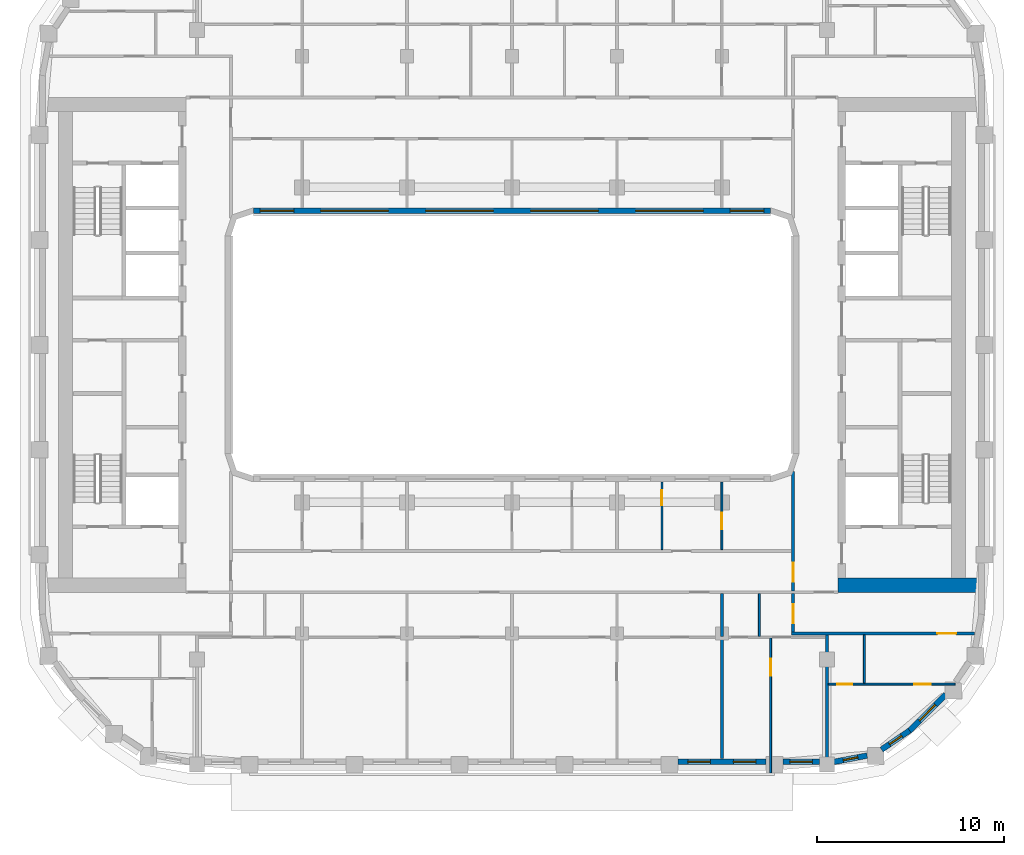
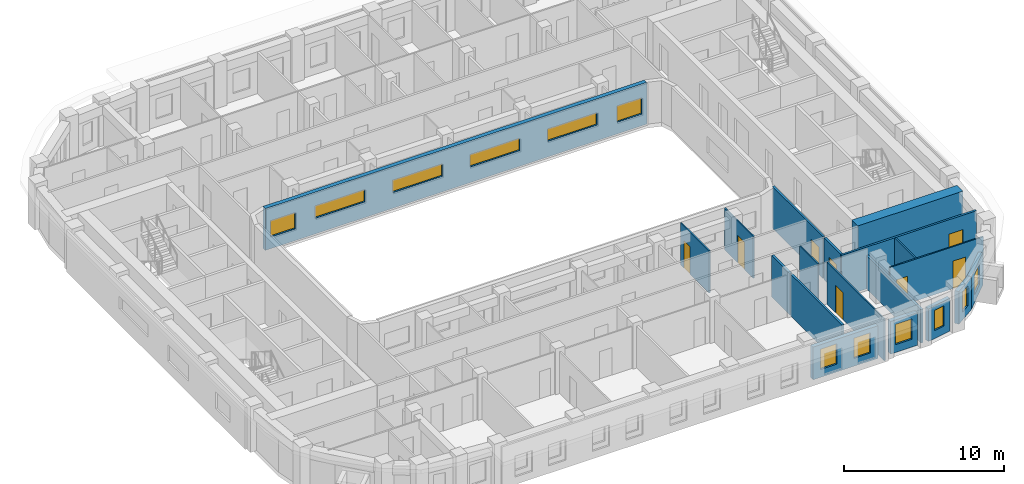
# One storey, part 5 of 21: 19 walls, 12 windows, 8 doors, 20 openings.
"""IFC4 building model written with IfcOpenShell, lengths in metres."""

from ifc_helpers import new_model, si_unit, direction, frame, frame_2d, origin, place, context, subcontext, project, spatial, rectangle, extrude, material, layer, layer_set, type_object, element, fill, save


model = new_model("IFC4")

# Units and contexts
model_context = context("Model", 3, precision=1e-05, world=origin(), true_north=direction((0.0, 1.0)))
body_context = subcontext(model_context, "Body", "Model", "MODEL_VIEW")
ifc_project = project(units=[si_unit("LENGTHUNIT", "METRE"), si_unit("AREAUNIT", "SQUARE_METRE"), si_unit("VOLUMEUNIT", "CUBIC_METRE"), si_unit("PLANEANGLEUNIT", "RADIAN"), si_unit("MASSUNIT", "GRAM", prefix="KILO")], contexts=[model_context])

# Site, building, storey
site_placement = place(None, origin())
site = spatial("IfcSite", under=ifc_project, at=site_placement, CompositionType="ELEMENT")
building_placement = place(site_placement, origin())
building = spatial("IfcBuilding", under=site, at=building_placement, Name="Kiln Ring Residences", CompositionType="ELEMENT")
storey_placement = place(building_placement, frame((0.0, 0.0, 195.89990234375)))
storey = spatial("IfcBuildingStorey", under=building, at=storey_placement, Name="L50", CompositionType="ELEMENT", Elevation=195.89990234375)

# Wall
ifc_material_1 = material(Name="Concrete C60/75", Category="concrete")
ifc_layer_1 = layer(ifc_material_1, 0.75)
ifc_layer_set_1 = layer_set([ifc_layer_1], Name="CORE-WALL-RC750")
wall_type_1 = type_object("IfcWallType", Name="CORE-WALL-RC750", PredefinedType="SHEAR", material=ifc_layer_set_1)
wall_1_placement = place(storey_placement, frame((17.39990234375, -12.824951171875, 0.0), z_axis=(0.0, 0.0, 1.0), x_axis=(1.0, 0.0, 0.0)))
element("IfcWall", 1, at=wall_1_placement, inside=storey, type_object=wall_type_1, Name="Core wall east L50 5", PredefinedType="SHEAR", context=body_context, shape_type="SweptSolid", body=[
    extrude(rectangle(XDim=7.60009765625, YDim=0.75, at=frame_2d((3.800048828125, 0.0))), origin(), (0.0, 0.0, 1.0), 3.2001953125),
])

# Wall, openings, windows
ifc_material_2 = material(Name="Brick masonry, dark clay brick", Category="masonry")
ifc_layer_2 = layer(ifc_material_2, 0.300048828125)
ifc_layer_set_2 = layer_set([ifc_layer_2], Name="EW-300 BRICK WALL")
wall_type_2 = type_object("IfcWallType", Name="EW-300 BRICK WALL", PredefinedType="SOLIDWALL", material=ifc_layer_set_2)
wall_2_placement = place(storey_placement, frame((8.85009765625, -22.25, 0.0), z_axis=(0.0, 0.0, 1.0), x_axis=(1.0, 0.0, 0.0)))
wall_2 = element("IfcWall", 2, at=wall_2_placement, inside=storey, type_object=wall_type_2, Name="Facade wall L50 9", PredefinedType="SOLIDWALL", context=body_context, shape_type="SweptSolid", body=[
    extrude(rectangle(XDim=4.699951171875, YDim=0.300048828125, at=frame_2d((2.35009765625, 0.0))), origin(), (0.0, 0.0, 1.0), 2.5),
])
opening_1_placement = place(wall_2_placement, frame((0.53759765625, 0.0, 0.60009765625)))
opening_1 = element("IfcOpeningElement", 3, at=opening_1_placement, cuts=wall_2, Name="Opening W1", PredefinedType="OPENING", context=body_context, shape_type="SweptSolid", body=[
    extrude(rectangle(XDim=1.199951171875, YDim=1.550048828125, at=frame_2d((0.60009765625, 0.77490234375))), frame((0.0, 0.159912109375, 0.0), z_axis=(0.0, -1.0, 0.0), x_axis=(1.0, 0.0, 0.0)), (0.0, 0.0, 1.0), 0.320068359375),
])
opening_2_placement = place(wall_2_placement, frame((2.96240234375, 0.0, 0.60009765625)))
opening_2 = element("IfcOpeningElement", 4, at=opening_2_placement, cuts=wall_2, Name="Opening W1", PredefinedType="OPENING", context=body_context, shape_type="SweptSolid", body=[
    extrude(rectangle(XDim=1.199951171875, YDim=1.550048828125, at=frame_2d((0.60009765625, 0.77490234375))), frame((0.0, 0.159912109375, 0.0), z_axis=(0.0, -1.0, 0.0), x_axis=(1.0, 0.0, 0.0)), (0.0, 0.0, 1.0), 0.320068359375),
])
ifc_material_3 = material(Name="Aluminium frame with double glazing", Category="aluminium")
window_type_1 = type_object("IfcWindowType", Name="WINDOW 1200 x 1550", PartitioningType="SINGLE_PANEL", PredefinedType="WINDOW", material=ifc_material_3)
window_1_placement = place(opening_1_placement, origin())
window_1 = element("IfcWindow", 5, at=window_1_placement, inside=storey, type_object=window_type_1, Name="Window L50 12", OverallHeight=1.550048828125, OverallWidth=1.199951171875, PartitioningType="SINGLE_PANEL", PredefinedType="WINDOW", context=body_context, shape_type="SweptSolid", body=[
    extrude(rectangle(XDim=1.199951171875, YDim=1.550048828125, at=frame_2d((0.60009765625, 0.77490234375))), frame((0.0, 0.030029296875, 0.0), z_axis=(0.0, -1.0, 0.0), x_axis=(1.0, 0.0, 0.0)), (0.0, 0.0, 1.0), 0.06005859375),
])
fill(opening_1, window_1)
window_2_placement = place(opening_2_placement, origin())
window_2 = element("IfcWindow", 6, at=window_2_placement, inside=storey, type_object=window_type_1, Name="Window L50 13", OverallHeight=1.550048828125, OverallWidth=1.199951171875, PartitioningType="SINGLE_PANEL", PredefinedType="WINDOW", context=body_context, shape_type="SweptSolid", body=[
    extrude(rectangle(XDim=1.199951171875, YDim=1.550048828125, at=frame_2d((0.60009765625, 0.77490234375))), frame((0.0, 0.030029296875, 0.0), z_axis=(0.0, -1.0, 0.0), x_axis=(1.0, 0.0, 0.0)), (0.0, 0.0, 1.0), 0.06005859375),
])
fill(opening_2, window_2)

# Wall, opening, window
wall_3_placement = place(storey_placement, frame((14.449951171875, -22.25, 0.0), z_axis=(0.0, 0.0, 1.0), x_axis=(1.0, 0.0, 0.0)))
wall_3 = element("IfcWall", 7, at=wall_3_placement, inside=storey, type_object=wall_type_2, Name="Facade wall L50 10", PredefinedType="SOLIDWALL", context=body_context, shape_type="SweptSolid", body=[
    extrude(rectangle(XDim=1.949951171875, YDim=0.300048828125, at=frame_2d((0.97509765625, 0.0))), origin(), (0.0, 0.0, 1.0), 2.5),
])
opening_3_placement = place(wall_3_placement, frame((0.375, 0.0, 0.60009765625)))
opening_3 = element("IfcOpeningElement", 8, at=opening_3_placement, cuts=wall_3, Name="Opening W1", PredefinedType="OPENING", context=body_context, shape_type="SweptSolid", body=[
    extrude(rectangle(XDim=1.199951171875, YDim=1.550048828125, at=frame_2d((0.60009765625, 0.77490234375))), frame((0.0, 0.159912109375, 0.0), z_axis=(0.0, -1.0, 0.0), x_axis=(1.0, 0.0, 0.0)), (0.0, 0.0, 1.0), 0.320068359375),
])
window_3_placement = place(opening_3_placement, origin())
window_3 = element("IfcWindow", 9, at=window_3_placement, inside=storey, type_object=window_type_1, Name="Window L50 14", OverallHeight=1.550048828125, OverallWidth=1.199951171875, PartitioningType="SINGLE_PANEL", PredefinedType="WINDOW", context=body_context, shape_type="SweptSolid", body=[
    extrude(rectangle(XDim=1.199951171875, YDim=1.550048828125, at=frame_2d((0.60009765625, 0.77490234375))), frame((0.0, 0.030029296875, 0.0), z_axis=(0.0, -1.0, 0.0), x_axis=(1.0, 0.0, 0.0)), (0.0, 0.0, 1.0), 0.06005859375),
])
fill(opening_3, window_3)

wall_4_placement = place(storey_placement, frame((17.178955078125, -22.251220703125, 0.0), z_axis=(0.0, 0.0, 1.0), x_axis=(0.98230529033, 0.187286722942, 0.0)))
wall_4 = element("IfcWall", 10, at=wall_4_placement, inside=storey, type_object=wall_type_2, Name="Facade wall L50 11", PredefinedType="SOLIDWALL", context=body_context, shape_type="SweptSolid", body=[
    extrude(rectangle(XDim=1.798828125, YDim=0.300048828125, at=frame_2d((0.8994140625, 0.0))), origin(), (0.0, 0.0, 1.0), 2.5),
])
opening_4_placement = place(wall_4_placement, frame((0.49951171875, 0.0, 0.60009765625)))
opening_4 = element("IfcOpeningElement", 11, at=opening_4_placement, cuts=wall_4, Name="Opening W5", PredefinedType="OPENING", context=body_context, shape_type="SweptSolid", body=[
    extrude(rectangle(XDim=0.800048828125, YDim=1.550048828125, at=frame_2d((0.39990234375, 0.77490234375))), frame((0.0, 0.159912109375, 0.0), z_axis=(0.0, -1.0, 0.0), x_axis=(1.0, 0.0, 0.0)), (0.0, 0.0, 1.0), 0.320068359375),
])
ifc_material_4 = material(Name="Aluminium frame with double glazing", Category="aluminium")
window_type_2 = type_object("IfcWindowType", Name="WINDOW 800 x 1550", PartitioningType="SINGLE_PANEL", PredefinedType="WINDOW", material=ifc_material_4)
window_4_placement = place(opening_4_placement, origin())
window_4 = element("IfcWindow", 12, at=window_4_placement, inside=storey, type_object=window_type_2, Name="Window L50 15", OverallHeight=1.550048828125, OverallWidth=0.800048828125, PartitioningType="SINGLE_PANEL", PredefinedType="WINDOW", context=body_context, shape_type="SweptSolid", body=[
    extrude(rectangle(XDim=0.800048828125, YDim=1.550048828125, at=frame_2d((0.39990234375, 0.77490234375))), frame((0.0, 0.030029296875, 0.0), z_axis=(0.0, -1.0, 0.0), x_axis=(1.0, 0.0, 0.0)), (0.0, 0.0, 1.0), 0.06005859375),
])
fill(opening_4, window_4)

wall_5_placement = place(storey_placement, frame((19.718994140625, -21.593994140625, 0.0), z_axis=(0.0, 0.0, 1.0), x_axis=(0.827067282455, 0.562102935673, 0.0)))
wall_5 = element("IfcWall", 13, at=wall_5_placement, inside=storey, type_object=wall_type_2, Name="Facade wall L50 12", PredefinedType="SOLIDWALL", context=body_context, shape_type="SweptSolid", body=[
    extrude(rectangle(XDim=1.805908203125, YDim=0.300048828125, at=frame_2d((0.90283203125, 0.0))), origin(), (0.0, 0.0, 1.0), 2.5),
])
opening_5_placement = place(wall_5_placement, frame((0.5029296875, 0.0, 0.60009765625)))
opening_5 = element("IfcOpeningElement", 14, at=opening_5_placement, cuts=wall_5, Name="Opening W5", PredefinedType="OPENING", context=body_context, shape_type="SweptSolid", body=[
    extrude(rectangle(XDim=0.800048828125, YDim=1.550048828125, at=frame_2d((0.39990234375, 0.77490234375))), frame((0.0, 0.159912109375, 0.0), z_axis=(0.0, -1.0, 0.0), x_axis=(1.0, 0.0, 0.0)), (0.0, 0.0, 1.0), 0.320068359375),
])
window_5_placement = place(opening_5_placement, origin())
window_5 = element("IfcWindow", 15, at=window_5_placement, inside=storey, type_object=window_type_2, Name="Window L50 16", OverallHeight=1.550048828125, OverallWidth=0.800048828125, PartitioningType="SINGLE_PANEL", PredefinedType="WINDOW", context=body_context, shape_type="SweptSolid", body=[
    extrude(rectangle(XDim=0.800048828125, YDim=1.550048828125, at=frame_2d((0.39990234375, 0.77490234375))), frame((0.0, 0.030029296875, 0.0), z_axis=(0.0, -1.0, 0.0), x_axis=(1.0, 0.0, 0.0)), (0.0, 0.0, 1.0), 0.06005859375),
])
fill(opening_5, window_5)

wall_6_placement = place(storey_placement, frame((21.19091796875, -20.596923828125, 0.0), z_axis=(0.0, 0.0, 1.0), x_axis=(0.707106781187, 0.707106781187, 0.0)))
wall_6 = element("IfcWall", 16, at=wall_6_placement, inside=storey, type_object=wall_type_2, Name="Facade wall L50 13", PredefinedType="SOLIDWALL", context=body_context, shape_type="SweptSolid", body=[
    extrude(rectangle(XDim=2.75, YDim=0.300048828125, at=frame_2d((1.375, 0.0))), origin(), (0.0, 0.0, 1.0), 2.5),
])
opening_6_placement = place(wall_6_placement, frame((0.77490234375, 0.0, 0.60009765625)))
opening_6 = element("IfcOpeningElement", 17, at=opening_6_placement, cuts=wall_6, Name="Opening W1", PredefinedType="OPENING", context=body_context, shape_type="SweptSolid", body=[
    extrude(rectangle(XDim=1.199951171875, YDim=1.550048828125, at=frame_2d((0.60009765625, 0.77490234375))), frame((0.0, 0.159912109375, 0.0), z_axis=(0.0, -1.0, 0.0), x_axis=(1.0, 0.0, 0.0)), (0.0, 0.0, 1.0), 0.320068359375),
])
window_6_placement = place(opening_6_placement, origin())
window_6 = element("IfcWindow", 18, at=window_6_placement, inside=storey, type_object=window_type_1, Name="Window L50 17", OverallHeight=1.550048828125, OverallWidth=1.199951171875, PartitioningType="SINGLE_PANEL", PredefinedType="WINDOW", context=body_context, shape_type="SweptSolid", body=[
    extrude(rectangle(XDim=1.199951171875, YDim=1.550048828125, at=frame_2d((0.60009765625, 0.77490234375))), frame((0.0, 0.030029296875, 0.0), z_axis=(0.0, -1.0, 0.0), x_axis=(1.0, 0.0, 0.0)), (0.0, 0.0, 1.0), 0.06005859375),
])
fill(opening_6, window_6)

# Wall, openings, windows
wall_7_placement = place(storey_placement, frame((-13.800048828125, 7.14990234375, 0.0), z_axis=(0.0, 0.0, 1.0), x_axis=(1.0, 0.0, 0.0)))
wall_7 = element("IfcWall", 19, at=wall_7_placement, inside=storey, type_object=wall_type_2, Name="Facade wall L50 48", PredefinedType="SOLIDWALL", context=body_context, shape_type="SweptSolid", body=[
    extrude(rectangle(XDim=27.60009765625, YDim=0.300048828125, at=frame_2d((13.800048828125, 0.0))), origin(), (0.0, 0.0, 1.0), 3.2001953125),
])
opening_7_placement = place(wall_7_placement, frame((0.362548828125, 0.0, 0.89990234375)))
opening_7 = element("IfcOpeningElement", 20, at=opening_7_placement, cuts=wall_7, Name="Opening W2", PredefinedType="OPENING", context=body_context, shape_type="SweptSolid", body=[
    extrude(rectangle(XDim=1.800048828125, YDim=1.25, at=frame_2d((0.89990234375, 0.625))), frame((0.0, 0.159912109375, 0.0), z_axis=(0.0, -1.0, 0.0), x_axis=(1.0, 0.0, 0.0)), (0.0, 0.0, 1.0), 0.320068359375),
])
opening_8_placement = place(wall_7_placement, frame((3.60009765625, 0.0, 1.199951171875)))
opening_8 = element("IfcOpeningElement", 21, at=opening_8_placement, cuts=wall_7, Name="Opening W4", PredefinedType="OPENING", context=body_context, shape_type="SweptSolid", body=[
    extrude(rectangle(XDim=3.60009765625, YDim=0.949951171875, at=frame_2d((1.800048828125, 0.47509765625))), frame((0.0, 0.159912109375, 0.0), z_axis=(0.0, -1.0, 0.0), x_axis=(1.0, 0.0, 0.0)), (0.0, 0.0, 1.0), 0.320068359375),
])
opening_9_placement = place(wall_7_placement, frame((9.199951171875, 0.0, 1.199951171875)))
opening_9 = element("IfcOpeningElement", 22, at=opening_9_placement, cuts=wall_7, Name="Opening W4", PredefinedType="OPENING", context=body_context, shape_type="SweptSolid", body=[
    extrude(rectangle(XDim=3.60009765625, YDim=0.949951171875, at=frame_2d((1.800048828125, 0.47509765625))), frame((0.0, 0.159912109375, 0.0), z_axis=(0.0, -1.0, 0.0), x_axis=(1.0, 0.0, 0.0)), (0.0, 0.0, 1.0), 0.320068359375),
])
opening_10_placement = place(wall_7_placement, frame((14.800048828125, 0.0, 1.199951171875)))
opening_10 = element("IfcOpeningElement", 23, at=opening_10_placement, cuts=wall_7, Name="Opening W4", PredefinedType="OPENING", context=body_context, shape_type="SweptSolid", body=[
    extrude(rectangle(XDim=3.60009765625, YDim=0.949951171875, at=frame_2d((1.800048828125, 0.47509765625))), frame((0.0, 0.159912109375, 0.0), z_axis=(0.0, -1.0, 0.0), x_axis=(1.0, 0.0, 0.0)), (0.0, 0.0, 1.0), 0.320068359375),
])
opening_11_placement = place(wall_7_placement, frame((20.39990234375, 0.0, 1.199951171875)))
opening_11 = element("IfcOpeningElement", 24, at=opening_11_placement, cuts=wall_7, Name="Opening W4", PredefinedType="OPENING", context=body_context, shape_type="SweptSolid", body=[
    extrude(rectangle(XDim=3.60009765625, YDim=0.949951171875, at=frame_2d((1.800048828125, 0.47509765625))), frame((0.0, 0.159912109375, 0.0), z_axis=(0.0, -1.0, 0.0), x_axis=(1.0, 0.0, 0.0)), (0.0, 0.0, 1.0), 0.320068359375),
])
opening_12_placement = place(wall_7_placement, frame((25.4375, 0.0, 0.89990234375)))
opening_12 = element("IfcOpeningElement", 25, at=opening_12_placement, cuts=wall_7, Name="Opening W2", PredefinedType="OPENING", context=body_context, shape_type="SweptSolid", body=[
    extrude(rectangle(XDim=1.800048828125, YDim=1.25, at=frame_2d((0.89990234375, 0.625))), frame((0.0, 0.159912109375, 0.0), z_axis=(0.0, -1.0, 0.0), x_axis=(1.0, 0.0, 0.0)), (0.0, 0.0, 1.0), 0.320068359375),
])
ifc_material_5 = material(Name="Aluminium frame with double glazing", Category="aluminium")
window_type_3 = type_object("IfcWindowType", Name="WINDOW 1800 x 1250", PartitioningType="SINGLE_PANEL", PredefinedType="WINDOW", material=ifc_material_5)
window_7_placement = place(opening_7_placement, origin())
window_7 = element("IfcWindow", 26, at=window_7_placement, inside=storey, type_object=window_type_3, Name="Window L50 35", OverallHeight=1.25, OverallWidth=1.800048828125, PartitioningType="SINGLE_PANEL", PredefinedType="WINDOW", context=body_context, shape_type="SweptSolid", body=[
    extrude(rectangle(XDim=1.800048828125, YDim=1.25, at=frame_2d((0.89990234375, 0.625))), frame((0.0, 0.030029296875, 0.0), z_axis=(0.0, -1.0, 0.0), x_axis=(1.0, 0.0, 0.0)), (0.0, 0.0, 1.0), 0.06005859375),
])
fill(opening_7, window_7)
window_8_placement = place(opening_12_placement, origin())
window_8 = element("IfcWindow", 27, at=window_8_placement, inside=storey, type_object=window_type_3, Name="Window L50 40", OverallHeight=1.25, OverallWidth=1.800048828125, PartitioningType="SINGLE_PANEL", PredefinedType="WINDOW", context=body_context, shape_type="SweptSolid", body=[
    extrude(rectangle(XDim=1.800048828125, YDim=1.25, at=frame_2d((0.89990234375, 0.625))), frame((0.0, 0.030029296875, 0.0), z_axis=(0.0, -1.0, 0.0), x_axis=(1.0, 0.0, 0.0)), (0.0, 0.0, 1.0), 0.06005859375),
])
fill(opening_12, window_8)
ifc_material_6 = material(Name="Aluminium frame with double glazing", Category="aluminium")
window_type_4 = type_object("IfcWindowType", Name="WINDOW 3600 x 950", PartitioningType="SINGLE_PANEL", PredefinedType="WINDOW", material=ifc_material_6)
window_9_placement = place(opening_8_placement, origin())
window_9 = element("IfcWindow", 28, at=window_9_placement, inside=storey, type_object=window_type_4, Name="Window L50 36", OverallHeight=0.949951171875, OverallWidth=3.60009765625, PartitioningType="SINGLE_PANEL", PredefinedType="WINDOW", context=body_context, shape_type="SweptSolid", body=[
    extrude(rectangle(XDim=3.60009765625, YDim=0.949951171875, at=frame_2d((1.800048828125, 0.47509765625))), frame((0.0, 0.030029296875, 0.0), z_axis=(0.0, -1.0, 0.0), x_axis=(1.0, 0.0, 0.0)), (0.0, 0.0, 1.0), 0.06005859375),
])
fill(opening_8, window_9)
window_10_placement = place(opening_9_placement, origin())
window_10 = element("IfcWindow", 29, at=window_10_placement, inside=storey, type_object=window_type_4, Name="Window L50 37", OverallHeight=0.949951171875, OverallWidth=3.60009765625, PartitioningType="SINGLE_PANEL", PredefinedType="WINDOW", context=body_context, shape_type="SweptSolid", body=[
    extrude(rectangle(XDim=3.60009765625, YDim=0.949951171875, at=frame_2d((1.800048828125, 0.47509765625))), frame((0.0, 0.030029296875, 0.0), z_axis=(0.0, -1.0, 0.0), x_axis=(1.0, 0.0, 0.0)), (0.0, 0.0, 1.0), 0.06005859375),
])
fill(opening_9, window_10)
window_11_placement = place(opening_10_placement, origin())
window_11 = element("IfcWindow", 30, at=window_11_placement, inside=storey, type_object=window_type_4, Name="Window L50 38", OverallHeight=0.949951171875, OverallWidth=3.60009765625, PartitioningType="SINGLE_PANEL", PredefinedType="WINDOW", context=body_context, shape_type="SweptSolid", body=[
    extrude(rectangle(XDim=3.60009765625, YDim=0.949951171875, at=frame_2d((1.800048828125, 0.47509765625))), frame((0.0, 0.030029296875, 0.0), z_axis=(0.0, -1.0, 0.0), x_axis=(1.0, 0.0, 0.0)), (0.0, 0.0, 1.0), 0.06005859375),
])
fill(opening_10, window_11)
window_12_placement = place(opening_11_placement, origin())
window_12 = element("IfcWindow", 31, at=window_12_placement, inside=storey, type_object=window_type_4, Name="Window L50 39", OverallHeight=0.949951171875, OverallWidth=3.60009765625, PartitioningType="SINGLE_PANEL", PredefinedType="WINDOW", context=body_context, shape_type="SweptSolid", body=[
    extrude(rectangle(XDim=3.60009765625, YDim=0.949951171875, at=frame_2d((1.800048828125, 0.47509765625))), frame((0.0, 0.030029296875, 0.0), z_axis=(0.0, -1.0, 0.0), x_axis=(1.0, 0.0, 0.0)), (0.0, 0.0, 1.0), 0.06005859375),
])
fill(opening_11, window_12)

# Wall, openings, doors
ifc_material_7 = material(Name="Gypsum board on steel studs", Category="steel")
ifc_layer_3 = layer(ifc_material_7, 0.10009765625)
ifc_layer_set_3 = layer_set([ifc_layer_3], Name="PARTITION-100")
wall_type_3 = type_object("IfcWallType", Name="PARTITION-100", PredefinedType="PARTITIONING", material=ifc_layer_set_3)
wall_8_placement = place(storey_placement, frame((16.875, -18.10009765625, 0.0), z_axis=(0.0, 0.0, 1.0), x_axis=(1.0, 0.0, 0.0)))
wall_8 = element("IfcWall", 32, at=wall_8_placement, inside=storey, type_object=wall_type_3, Name="Partition 000", PredefinedType="PARTITIONING", context=body_context, shape_type="SweptSolid", body=[
    extrude(rectangle(XDim=6.764892578125, YDim=0.10009765625, at=frame_2d((3.38232421875, 0.0))), origin(), (0.0, 0.0, 1.0), 3.2001953125),
])
opening_13_placement = place(wall_8_placement, frame((0.47509765625, 0.0, 0.0)))
opening_13 = element("IfcOpeningElement", 33, at=opening_13_placement, cuts=wall_8, Name="Opening L50-D063", PredefinedType="OPENING", context=body_context, shape_type="SweptSolid", body=[
    extrude(rectangle(XDim=0.800048828125, YDim=2.10009765625, at=frame_2d((0.39990234375, 1.050048828125))), frame((0.0, 0.06005859375, 0.0), z_axis=(0.0, -1.0, 0.0), x_axis=(1.0, 0.0, 0.0)), (0.0, 0.0, 1.0), 0.1201171875),
])
opening_14_placement = place(wall_8_placement, frame((4.574951171875, 0.0, 0.0)))
opening_14 = element("IfcOpeningElement", 34, at=opening_14_placement, cuts=wall_8, Name="Opening L50-D064", PredefinedType="OPENING", context=body_context, shape_type="SweptSolid", body=[
    extrude(rectangle(XDim=0.89990234375, YDim=2.10009765625, at=frame_2d((0.449951171875, 1.050048828125))), frame((0.0, 0.06005859375, 0.0), z_axis=(0.0, -1.0, 0.0), x_axis=(1.0, 0.0, 0.0)), (0.0, 0.0, 1.0), 0.1201171875),
])
ifc_material_8 = material(Name="Timber door leaf", Category="wood")
door_type_1 = type_object("IfcDoorType", Name="FLAT-DOOR-800-PL", OperationType="SINGLE_SWING_LEFT", PredefinedType="DOOR", material=ifc_material_8)
door_1_placement = place(opening_13_placement, origin())
door_1 = element("IfcDoor", 35, at=door_1_placement, inside=storey, type_object=door_type_1, Name="Door L50-D063", OperationType="SINGLE_SWING_LEFT", OverallHeight=2.10009765625, OverallWidth=0.800048828125, PredefinedType="DOOR", context=body_context, shape_type="SweptSolid", body=[
    extrude(rectangle(XDim=0.800048828125, YDim=2.10009765625, at=frame_2d((0.39990234375, 1.050048828125))), frame((0.0, 0.02490234375, 0.0), z_axis=(0.0, -1.0, 0.0), x_axis=(1.0, 0.0, 0.0)), (0.0, 0.0, 1.0), 0.050048828125),
])
fill(opening_13, door_1)
ifc_material_9 = material(Name="Timber door leaf", Category="wood")
door_type_2 = type_object("IfcDoorType", Name="FLAT-DOOR-900-PL", OperationType="SINGLE_SWING_LEFT", PredefinedType="DOOR", material=ifc_material_9)
door_2_placement = place(opening_14_placement, origin())
door_2 = element("IfcDoor", 36, at=door_2_placement, inside=storey, type_object=door_type_2, Name="Door L50-D064", OperationType="SINGLE_SWING_RIGHT", OverallHeight=2.10009765625, OverallWidth=0.89990234375, PredefinedType="DOOR", context=body_context, shape_type="SweptSolid", body=[
    extrude(rectangle(XDim=0.89990234375, YDim=2.10009765625, at=frame_2d((0.449951171875, 1.050048828125))), frame((0.0, 0.02490234375, 0.0), z_axis=(0.0, -1.0, 0.0), x_axis=(1.0, 0.0, 0.0)), (0.0, 0.0, 1.0), 0.050048828125),
])
fill(opening_14, door_2)

# Wall, opening, door
wall_9_placement = place(storey_placement, frame((8.0, -10.925048828125, 0.0), z_axis=(0.0, 0.0, 1.0), x_axis=(0.0, 1.0, 0.0)))
wall_9 = element("IfcWall", 37, at=wall_9_placement, inside=storey, type_object=wall_type_3, Name="Partition 053", PredefinedType="PARTITIONING", context=body_context, shape_type="SweptSolid", body=[
    extrude(rectangle(XDim=3.60498046875, YDim=0.10009765625, at=frame_2d((1.802490234375, 0.0))), origin(), (0.0, 0.0, 1.0), 3.2001953125),
])
opening_15_placement = place(wall_9_placement, frame((2.35498046875, 0.0, 0.0)))
opening_15 = element("IfcOpeningElement", 38, at=opening_15_placement, cuts=wall_9, Name="Opening L50-D045", PredefinedType="OPENING", context=body_context, shape_type="SweptSolid", body=[
    extrude(rectangle(XDim=0.800048828125, YDim=2.10009765625, at=frame_2d((0.39990234375, 1.050048828125))), frame((0.0, 0.06005859375, 0.0), z_axis=(0.0, -1.0, 0.0), x_axis=(1.0, 0.0, 0.0)), (0.0, 0.0, 1.0), 0.1201171875),
])
door_3_placement = place(opening_15_placement, origin())
door_3 = element("IfcDoor", 39, at=door_3_placement, inside=storey, type_object=door_type_1, Name="Door L50-D045", OperationType="SINGLE_SWING_LEFT", OverallHeight=2.10009765625, OverallWidth=0.800048828125, PredefinedType="DOOR", context=body_context, shape_type="SweptSolid", body=[
    extrude(rectangle(XDim=0.800048828125, YDim=2.10009765625, at=frame_2d((0.39990234375, 1.050048828125))), frame((0.0, 0.02490234375, 0.0), z_axis=(0.0, -1.0, 0.0), x_axis=(1.0, 0.0, 0.0)), (0.0, 0.0, 1.0), 0.050048828125),
])
fill(opening_15, door_3)

wall_10_placement = place(storey_placement, frame((11.199951171875, -10.925048828125, 0.0), z_axis=(0.0, 0.0, 1.0), x_axis=(0.0, 1.0, 0.0)))
wall_10 = element("IfcWall", 40, at=wall_10_placement, inside=storey, type_object=wall_type_3, Name="Partition 055", PredefinedType="PARTITIONING", context=body_context, shape_type="SweptSolid", body=[
    extrude(rectangle(XDim=3.60498046875, YDim=0.10009765625, at=frame_2d((1.802490234375, 0.0))), origin(), (0.0, 0.0, 1.0), 3.2001953125),
])
opening_16_placement = place(wall_10_placement, frame((1.075927734375, 0.0, 0.0)))
opening_16 = element("IfcOpeningElement", 41, at=opening_16_placement, cuts=wall_10, Name="Opening L50-D046", PredefinedType="OPENING", context=body_context, shape_type="SweptSolid", body=[
    extrude(rectangle(XDim=0.89990234375, YDim=2.10009765625, at=frame_2d((0.449951171875, 1.050048828125))), frame((0.0, 0.06005859375, 0.0), z_axis=(0.0, -1.0, 0.0), x_axis=(1.0, 0.0, 0.0)), (0.0, 0.0, 1.0), 0.1201171875),
])
door_4_placement = place(opening_16_placement, origin())
door_4 = element("IfcDoor", 42, at=door_4_placement, inside=storey, type_object=door_type_2, Name="Door L50-D046", OperationType="SINGLE_SWING_LEFT", OverallHeight=2.10009765625, OverallWidth=0.89990234375, PredefinedType="DOOR", context=body_context, shape_type="SweptSolid", body=[
    extrude(rectangle(XDim=0.89990234375, YDim=2.10009765625, at=frame_2d((0.449951171875, 1.050048828125))), frame((0.0, 0.02490234375, 0.0), z_axis=(0.0, -1.0, 0.0), x_axis=(1.0, 0.0, 0.0)), (0.0, 0.0, 1.0), 0.050048828125),
])
fill(opening_16, door_4)

# Wall
wall_11_placement = place(storey_placement, frame((13.199951171875, -15.550048828125, 0.0), z_axis=(0.0, 0.0, 1.0), x_axis=(0.0, 1.0, 0.0)))
element("IfcWall", 43, at=wall_11_placement, inside=storey, type_object=wall_type_3, Name="Partition 061", PredefinedType="PARTITIONING", context=body_context, shape_type="SweptSolid", body=[
    extrude(rectangle(XDim=2.275146484375, YDim=0.10009765625, at=frame_2d((1.1376953125, 0.0))), origin(), (0.0, 0.0, 1.0), 3.2001953125),
])

# Wall, opening, door
wall_12_placement = place(storey_placement, frame((13.800048828125, -22.830078125, 0.0), z_axis=(0.0, 0.0, 1.0), x_axis=(0.0, 1.0, 0.0)))
wall_12 = element("IfcWall", 44, at=wall_12_placement, inside=storey, type_object=wall_type_3, Name="Partition 062", PredefinedType="PARTITIONING", context=body_context, shape_type="SweptSolid", body=[
    extrude(rectangle(XDim=7.18017578125, YDim=0.10009765625, at=frame_2d((3.590087890625, 0.0))), origin(), (0.0, 0.0, 1.0), 3.2001953125),
])
opening_17_placement = place(wall_12_placement, frame((5.179931640625, 0.0, 0.0)))
opening_17 = element("IfcOpeningElement", 45, at=opening_17_placement, cuts=wall_12, Name="Opening L50-D061", PredefinedType="OPENING", context=body_context, shape_type="SweptSolid", body=[
    extrude(rectangle(XDim=0.89990234375, YDim=2.10009765625, at=frame_2d((0.449951171875, 1.050048828125))), frame((0.0, 0.06005859375, 0.0), z_axis=(0.0, -1.0, 0.0), x_axis=(1.0, 0.0, 0.0)), (0.0, 0.0, 1.0), 0.1201171875),
])
door_5_placement = place(opening_17_placement, origin())
door_5 = element("IfcDoor", 46, at=door_5_placement, inside=storey, type_object=door_type_2, Name="Door L50-D061", OperationType="SINGLE_SWING_LEFT", OverallHeight=2.10009765625, OverallWidth=0.89990234375, PredefinedType="DOOR", context=body_context, shape_type="SweptSolid", body=[
    extrude(rectangle(XDim=0.89990234375, YDim=2.10009765625, at=frame_2d((0.449951171875, 1.050048828125))), frame((0.0, 0.02490234375, 0.0), z_axis=(0.0, -1.0, 0.0), x_axis=(1.0, 0.0, 0.0)), (0.0, 0.0, 1.0), 0.050048828125),
])
fill(opening_17, door_5)

# Wall
wall_13_placement = place(storey_placement, frame((18.800048828125, -18.050048828125, 0.0), z_axis=(0.0, 0.0, 1.0), x_axis=(0.0, 1.0, 0.0)))
element("IfcWall", 47, at=wall_13_placement, inside=storey, type_object=wall_type_3, Name="Partition 070", PredefinedType="PARTITIONING", context=body_context, shape_type="SweptSolid", body=[
    extrude(rectangle(XDim=2.574951171875, YDim=0.10009765625, at=frame_2d((1.28759765625, 0.0))), origin(), (0.0, 0.0, 1.0), 3.2001953125),
])

# Wall, opening, door
ifc_material_10 = material(Name="Brick masonry partition", Category="masonry")
ifc_layer_4 = layer(ifc_material_10, 0.14990234375)
ifc_layer_set_4 = layer_set([ifc_layer_4], Name="PARTITION-150-ei60")
wall_type_4 = type_object("IfcWallType", Name="PARTITION-150-ei60", PredefinedType="PARTITIONING", material=ifc_layer_set_4)
wall_14_placement = place(storey_placement, frame((14.925048828125, -15.39990234375, 0.0), z_axis=(0.0, 0.0, 1.0), x_axis=(1.0, 0.0, 0.0)))
wall_14 = element("IfcWall", 48, at=wall_14_placement, inside=storey, type_object=wall_type_4, Name="Partition 004", PredefinedType="PARTITIONING", context=body_context, shape_type="SweptSolid", body=[
    extrude(rectangle(XDim=9.7587890625, YDim=0.14990234375, at=frame_2d((4.87939453125, 0.0))), origin(), (0.0, 0.0, 1.0), 3.2001953125),
])
opening_18_placement = place(wall_14_placement, frame((7.77490234375, 0.0, 0.0)))
opening_18 = element("IfcOpeningElement", 49, at=opening_18_placement, cuts=wall_14, Name="Opening L50-D062", PredefinedType="OPENING", context=body_context, shape_type="SweptSolid", body=[
    extrude(rectangle(XDim=1.0, YDim=2.10009765625, at=frame_2d((0.5, 1.050048828125))), frame((0.0, 0.0849609375, 0.0), z_axis=(0.0, -1.0, 0.0), x_axis=(1.0, 0.0, 0.0)), (0.0, 0.0, 1.0), 0.169921875),
])
ifc_material_11 = material(Name="Steel faced fire door leaf", Category="steel")
door_type_3 = type_object("IfcDoorType", Name="FLAT-DOOR-1000-FR", OperationType="SINGLE_SWING_LEFT", PredefinedType="DOOR", material=ifc_material_11)
door_6_placement = place(opening_18_placement, origin())
door_6 = element("IfcDoor", 50, at=door_6_placement, inside=storey, type_object=door_type_3, Name="Door L50-D062", OperationType="SINGLE_SWING_RIGHT", OverallHeight=2.10009765625, OverallWidth=1.0, PredefinedType="DOOR", context=body_context, shape_type="SweptSolid", body=[
    extrude(rectangle(XDim=1.0, YDim=2.10009765625, at=frame_2d((0.5, 1.050048828125))), frame((0.0, 0.02490234375, 0.0), z_axis=(0.0, -1.0, 0.0), x_axis=(1.0, 0.0, 0.0)), (0.0, 0.0, 1.0), 0.050048828125),
])
fill(opening_18, door_6)

# Walls
wall_15_placement = place(storey_placement, frame((11.199951171875, -22.080078125, 0.0), z_axis=(0.0, 0.0, 1.0), x_axis=(0.0, 1.0, 0.0)))
element("IfcWall", 51, at=wall_15_placement, inside=storey, type_object=wall_type_4, Name="Partition 059", PredefinedType="PARTITIONING", context=body_context, shape_type="SweptSolid", body=[
    extrude(rectangle(XDim=6.43017578125, YDim=0.14990234375, at=frame_2d((3.215087890625, 0.0))), origin(), (0.0, 0.0, 1.0), 3.2001953125),
])
wall_16_placement = place(storey_placement, frame((11.199951171875, -15.550048828125, 0.0), z_axis=(0.0, 0.0, 1.0), x_axis=(0.0, 1.0, 0.0)))
element("IfcWall", 52, at=wall_16_placement, inside=storey, type_object=wall_type_4, Name="Partition 060", PredefinedType="PARTITIONING", context=body_context, shape_type="SweptSolid", body=[
    extrude(rectangle(XDim=2.275146484375, YDim=0.14990234375, at=frame_2d((1.1376953125, 0.0))), origin(), (0.0, 0.0, 1.0), 3.2001953125),
])

# Wall, opening, door
wall_17_placement = place(storey_placement, frame((15.0, -15.324951171875, 0.0), z_axis=(0.0, 0.0, 1.0), x_axis=(0.0, 1.0, 0.0)))
wall_17 = element("IfcWall", 53, at=wall_17_placement, inside=storey, type_object=wall_type_4, Name="Partition 064", PredefinedType="PARTITIONING", context=body_context, shape_type="SweptSolid", body=[
    extrude(rectangle(XDim=2.050048828125, YDim=0.14990234375, at=frame_2d((1.02490234375, 0.0))), origin(), (0.0, 0.0, 1.0), 3.2001953125),
])
opening_19_placement = place(wall_17_placement, frame((0.47412109375, 0.0, 0.0)))
opening_19 = element("IfcOpeningElement", 54, at=opening_19_placement, cuts=wall_17, Name="Opening L50-D058", PredefinedType="OPENING", context=body_context, shape_type="SweptSolid", body=[
    extrude(rectangle(XDim=1.0, YDim=2.10009765625, at=frame_2d((0.5, 1.050048828125))), frame((0.0, 0.0849609375, 0.0), z_axis=(0.0, -1.0, 0.0), x_axis=(1.0, 0.0, 0.0)), (0.0, 0.0, 1.0), 0.169921875),
])
door_7_placement = place(opening_19_placement, origin())
door_7 = element("IfcDoor", 55, at=door_7_placement, inside=storey, type_object=door_type_3, Name="Door L50-D058", OperationType="SINGLE_SWING_RIGHT", OverallHeight=2.10009765625, OverallWidth=1.0, PredefinedType="DOOR", context=body_context, shape_type="SweptSolid", body=[
    extrude(rectangle(XDim=1.0, YDim=2.10009765625, at=frame_2d((0.5, 1.050048828125))), frame((0.0, 0.02490234375, 0.0), z_axis=(0.0, -1.0, 0.0), x_axis=(1.0, 0.0, 0.0)), (0.0, 0.0, 1.0), 0.050048828125),
])
fill(opening_19, door_7)

wall_18_placement = place(storey_placement, frame((15.0, -13.125, 0.0), z_axis=(0.0, 0.0, 1.0), x_axis=(0.0, 1.0, 0.0)))
wall_18 = element("IfcWall", 56, at=wall_18_placement, inside=storey, type_object=wall_type_4, Name="Partition 065", PredefinedType="PARTITIONING", context=body_context, shape_type="SweptSolid", body=[
    extrude(rectangle(XDim=6.356201171875, YDim=0.14990234375, at=frame_2d((3.17822265625, 0.0))), origin(), (0.0, 0.0, 1.0), 3.2001953125),
])
opening_20_placement = place(wall_18_placement, frame((0.49609375, 0.0, 0.0)))
opening_20 = element("IfcOpeningElement", 57, at=opening_20_placement, cuts=wall_18, Name="Opening L50-D006", PredefinedType="OPENING", context=body_context, shape_type="SweptSolid", body=[
    extrude(rectangle(XDim=1.0, YDim=2.10009765625, at=frame_2d((0.5, 1.050048828125))), frame((0.0, 0.0849609375, 0.0), z_axis=(0.0, -1.0, 0.0), x_axis=(1.0, 0.0, 0.0)), (0.0, 0.0, 1.0), 0.169921875),
])
door_8_placement = place(opening_20_placement, origin())
door_8 = element("IfcDoor", 58, at=door_8_placement, inside=storey, type_object=door_type_3, Name="Door L50-D006", OperationType="SINGLE_SWING_LEFT", OverallHeight=2.10009765625, OverallWidth=1.0, PredefinedType="DOOR", context=body_context, shape_type="SweptSolid", body=[
    extrude(rectangle(XDim=1.0, YDim=2.10009765625, at=frame_2d((0.5, 1.050048828125))), frame((0.0, 0.02490234375, 0.0), z_axis=(0.0, -1.0, 0.0), x_axis=(1.0, 0.0, 0.0)), (0.0, 0.0, 1.0), 0.050048828125),
])
fill(opening_20, door_8)

# Wall
wall_19_placement = place(storey_placement, frame((16.800048828125, -22.31005859375, 0.0), z_axis=(0.0, 0.0, 1.0), x_axis=(0.0, 1.0, 0.0)))
element("IfcWall", 59, at=wall_19_placement, inside=storey, type_object=wall_type_4, Name="Partition 068", PredefinedType="PARTITIONING", context=body_context, shape_type="SweptSolid", body=[
    extrude(rectangle(XDim=6.8349609375, YDim=0.14990234375, at=frame_2d((3.41748046875, 0.0))), origin(), (0.0, 0.0, 1.0), 2.550048828125),
])

save(model, "model.ifc")
